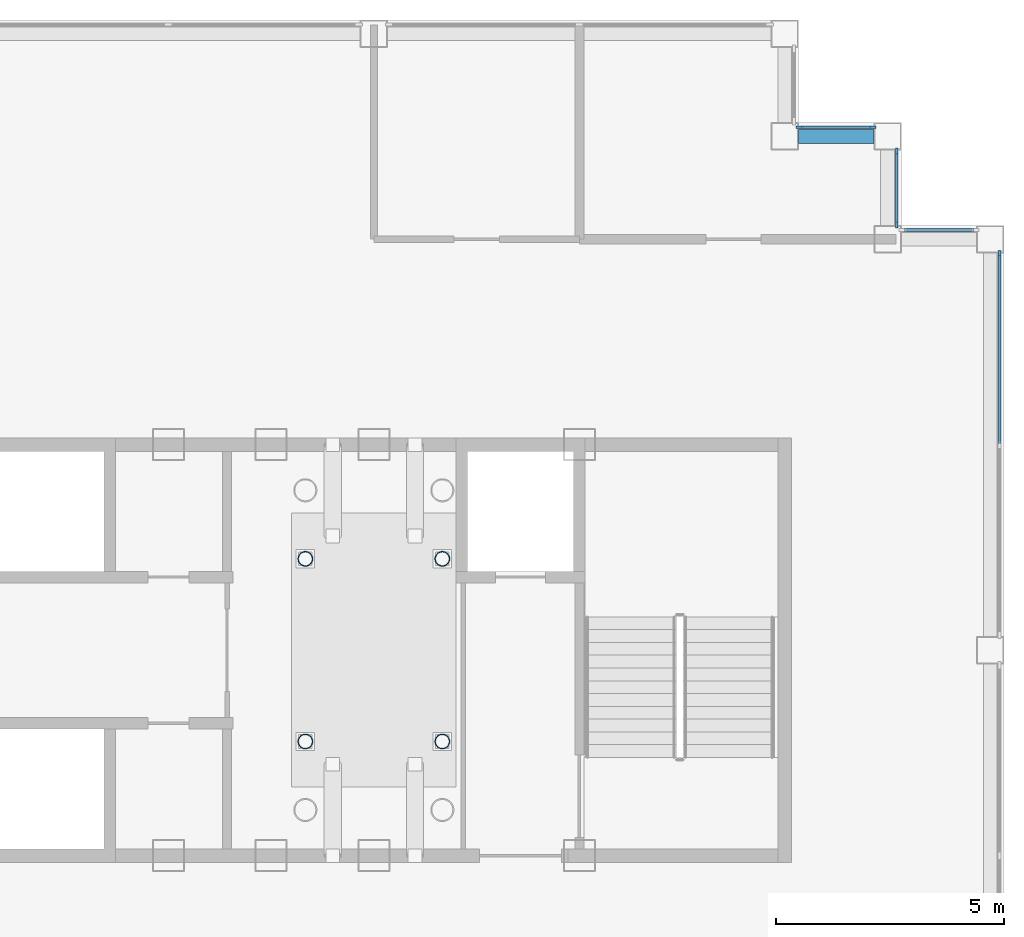
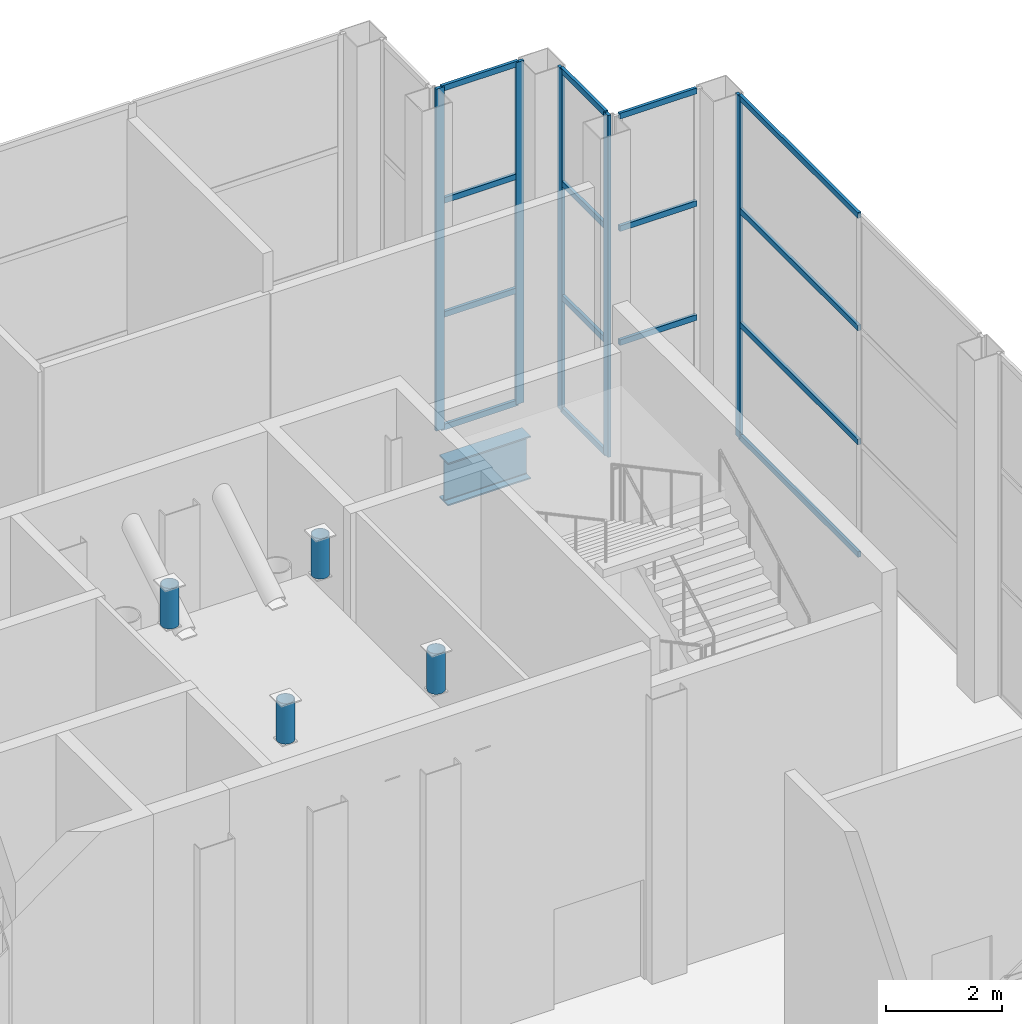
# One storey, part 6 of 15: 24 members, 1 beam, 4 elements without a shape of their own.
"""IFC4 building model written with IfcOpenShell, lengths in metres."""

import ifcopenshell
import ifcopenshell.guid

model = None  # the IFC model being written
_history = None  # IfcOwnerHistory: only IFC2X3 demands one
_inside = {}  # id of a spatial element -> (the spatial element, [elements in it])
_under = {}  # id of a project, library or spatial element -> (it, [spatial elements below it])
_declared = {}  # id of a project -> (the project, [libraries it declares])
_typed = {}  # id of a type object -> (the type object, [elements of that type])
_made_of = {}  # id of a material, layer set ... -> (it, [elements and type objects made of it])


def new_model(schema):
    """Start an empty IFC model of exactly this schema.

    Asked for "IFC4X3", IfcOpenShell would pick the latest addendum, in which some entities
    have other attributes; the version numbers below select the first issue.
    IFC2X3 requires an IfcOwnerHistory on every rooted entity: one is made here for all.
    """
    global model, _history
    if schema == "IFC4X3":
        model = ifcopenshell.file(schema_version=(4, 3, 0, 0))
    else:
        model = ifcopenshell.file(schema=schema)
    _inside.clear()
    _under.clear()
    _declared.clear()
    _typed.clear()
    _made_of.clear()
    _history = None
    if model.schema == "IFC2X3":
        org = make("IfcOrganization", Name="unknown")
        user = make(
            "IfcPersonAndOrganization",
            ThePerson=make("IfcPerson", FamilyName="unknown"),
            TheOrganization=org,
        )
        app = make(
            "IfcApplication",
            ApplicationDeveloper=org,
            Version="unknown",
            ApplicationFullName="unknown",
            ApplicationIdentifier="unknown",
        )
        _history = make(
            "IfcOwnerHistory",
            OwningUser=user,
            OwningApplication=app,
            ChangeAction="ADDED",
            CreationDate=0,
        )
    return model


def make(cls, **values):
    """One entity of the class cls with the attributes given. An attribute that is None is left unset."""
    return model.create_entity(
        cls, **{name: value for name, value in values.items() if value is not None}
    )


def rooted(cls, **values):
    """An entity with a GlobalId (a new one), such as an element, a storey or a relation."""
    return make(cls, GlobalId=ifcopenshell.guid.new(), OwnerHistory=_history, **values)


def si_unit(unit_type, name, prefix=None):
    """IfcSIUnit, for example si_unit("LENGTHUNIT", "METRE", prefix="MILLI")."""
    return make("IfcSIUnit", UnitType=unit_type, Prefix=prefix, Name=name)


def assignment(units):
    """IfcUnitAssignment: the units of a project."""
    return None if units is None else make("IfcUnitAssignment", Units=units)


def point(xyz):
    """IfcCartesianPoint."""
    return None if xyz is None else make("IfcCartesianPoint", Coordinates=xyz)


def direction(xyz):
    """IfcDirection."""
    return None if xyz is None else make("IfcDirection", DirectionRatios=xyz)


def frame(location, z_axis=None, x_axis=None):
    """IfcAxis2Placement3D, a coordinate frame: its origin and axes. An axis left out is left unset."""
    return make(
        "IfcAxis2Placement3D",
        Location=point(location),
        Axis=direction(z_axis),
        RefDirection=direction(x_axis),
    )


def frame_2d(location, x_axis=None):
    """IfcAxis2Placement2D, a coordinate frame in the plane: its origin and x axis."""
    return make(
        "IfcAxis2Placement2D", Location=point(location), RefDirection=direction(x_axis)
    )


def origin():
    """The frame at (0, 0, 0) with its axes left unset."""
    return frame((0.0, 0.0, 0.0))


def origin_2d():
    """The frame at (0, 0) in the plane with its x axis left unset."""
    return frame_2d((0.0, 0.0))


def place(relative_to, where):
    """IfcLocalPlacement: puts the frame where relative to a parent placement (None: the world)."""
    return make(
        "IfcLocalPlacement", PlacementRelTo=relative_to, RelativePlacement=where
    )


def context(
    kind, dimensions, precision=None, world=None, true_north=None, identifier=None
):
    """IfcGeometricRepresentationContext, for example the 3D "Model" context."""
    return make(
        "IfcGeometricRepresentationContext",
        ContextIdentifier=identifier,
        ContextType=kind,
        CoordinateSpaceDimension=dimensions,
        Precision=precision,
        WorldCoordinateSystem=world,
        TrueNorth=true_north,
    )


def subcontext(parent, identifier, kind, view, scale=None):
    """IfcGeometricRepresentationSubContext, for example "Body" below "Model"."""
    return make(
        "IfcGeometricRepresentationSubContext",
        ContextIdentifier=identifier,
        ContextType=kind,
        ParentContext=parent,
        TargetScale=scale,
        TargetView=view,
    )


def project(units=None, contexts=None):
    """IfcProject with its units and contexts."""
    return rooted(
        "IfcProject",
        Name="project",
        RepresentationContexts=contexts,
        UnitsInContext=assignment(units),
    )


def spatial(cls, under=None, at=None, **own):
    """A site, building, storey or space (cls), placed at a placement, below another one or the project."""
    s = rooted(cls, ObjectPlacement=at, **own)
    if under is not None:
        _under.setdefault(under.id(), (under, []))[1].append(s)
    return s


def profile(cls, at=None, kind="AREA", **sizes):
    """A parametric profile (cls). Its sizes go by their IFC names, for example OverallWidth=200.0."""
    return make(cls, ProfileType=kind, Position=at, **sizes)


def rectangle(**sizes):
    """IfcRectangleProfileDef."""
    return profile("IfcRectangleProfileDef", **sizes)


def hollow_circle(**sizes):
    """IfcCircleHollowProfileDef."""
    return profile("IfcCircleHollowProfileDef", **sizes)


def i_section(**sizes):
    """IfcIShapeProfileDef."""
    return profile("IfcIShapeProfileDef", **sizes)


def extrude(swept, where, along, depth):
    """IfcExtrudedAreaSolid: the profile swept, set in the frame where, extruded along a direction by depth."""
    return make(
        "IfcExtrudedAreaSolid",
        SweptArea=swept,
        Position=where,
        ExtrudedDirection=direction(along),
        Depth=depth,
    )


def shape(context_of_items, identifier, shape_type, items):
    """IfcShapeRepresentation: the items that make up one representation, for example the "Body"."""
    return make(
        "IfcShapeRepresentation",
        ContextOfItems=context_of_items,
        RepresentationIdentifier=identifier,
        RepresentationType=shape_type,
        Items=items,
    )


def material(Name=None, Category=None):
    """IfcMaterial."""
    return make("IfcMaterial", Name=Name, Category=Category)


def layer(
    of_material, thickness, ventilated=None, Name=None, Category=None, Priority=None
):
    """IfcMaterialLayer: one layer of a wall or slab, of a material (None: an air gap)."""
    return make(
        "IfcMaterialLayer",
        Material=of_material,
        LayerThickness=thickness,
        IsVentilated=ventilated,
        Name=Name,
        Category=Category,
        Priority=Priority,
    )


def layer_set(layers, Name=None):
    """IfcMaterialLayerSet."""
    return make("IfcMaterialLayerSet", MaterialLayers=layers, LayerSetName=Name)


def material_profile(
    of_material, cross_section, Name=None, Category=None, Priority=None
):
    """IfcMaterialProfile: a cross section and its material."""
    return make(
        "IfcMaterialProfile",
        Name=Name,
        Material=of_material,
        Profile=cross_section,
        Priority=Priority,
        Category=Category,
    )


def profile_set(profiles, Name=None, composite=None):
    """IfcMaterialProfileSet."""
    return make(
        "IfcMaterialProfileSet",
        Name=Name,
        MaterialProfiles=profiles,
        CompositeProfile=composite,
    )


def made_of(thing, what):
    """Note that an element or type object is made of a material, layer set ...; save() writes the relation."""
    if what is not None:
        _made_of.setdefault(what.id(), (what, []))[1].append(thing)
    return thing


def type_object(cls, material=None, **own):
    """A type object (cls), such as IfcWallType, which elements share."""
    return made_of(rooted(cls, **own), material)


def element(
    cls,
    number,
    at=None,
    inside=None,
    cuts=None,
    type_object=None,
    material=None,
    context=None,
    identifier="Body",
    shape_type=None,
    held_by="IfcProductDefinitionShape",
    body=None,
    shapes=None,
    **own,
):
    """One element of the class cls, such as IfcWall. Its Tag is "e" and its number.

    at: its placement. inside: the storey or other place that contains it. cuts: it is an
    opening in that element (IfcRelVoidsElement). A single representation is given by context,
    identifier, shape_type and body (its items); several are given by shapes. held_by: the class
    of the entity that holds the representations. save() writes the other relations.
    """
    e = rooted(cls, Tag="e%d" % number, ObjectPlacement=at, **own)
    if body is not None:
        shapes = [shape(context, identifier, shape_type, body)]
    if shapes is not None:
        e.Representation = make(held_by, Representations=shapes)
    if inside is not None:
        _inside.setdefault(inside.id(), (inside, []))[1].append(e)
    if cuts is not None:
        rooted(
            "IfcRelVoidsElement", RelatingBuildingElement=cuts, RelatedOpeningElement=e
        )
    if type_object is not None:
        _typed.setdefault(type_object.id(), (type_object, []))[1].append(e)
    return made_of(e, material)


def aggregate(whole, parts):
    """IfcRelAggregates: a whole, such as a stair, and the parts it consists of."""
    return rooted("IfcRelAggregates", RelatingObject=whole, RelatedObjects=parts)


def save(model, path):
    """Write the relations noted so far, then the file.

    IfcRelAggregates (storeys below a building ...), IfcRelContainedInSpatialStructure (elements
    in a storey), IfcRelDefinesByType, IfcRelAssociatesMaterial and IfcRelDeclares: one each for
    every whole, place, type object, material and project.
    """
    for whole, parts in _under.values():
        aggregate(whole, parts)
    for where, things in _inside.values():
        rooted(
            "IfcRelContainedInSpatialStructure",
            RelatedElements=things,
            RelatingStructure=where,
        )
    for kind, things in _typed.values():
        rooted("IfcRelDefinesByType", RelatedObjects=things, RelatingType=kind)
    for what, things in _made_of.values():
        rooted("IfcRelAssociatesMaterial", RelatedObjects=things, RelatingMaterial=what)
    for by, libraries in _declared.values():
        rooted("IfcRelDeclares", RelatingContext=by, RelatedDefinitions=libraries)
    model.write(path)


model = new_model("IFC4")

# Units and contexts
model_context = context("Model", 3, precision=1e-05, world=origin(), true_north=direction((0.0, 1.0)))
body_context = subcontext(model_context, "Body", "Model", "MODEL_VIEW")
ifc_project = project(units=[si_unit("LENGTHUNIT", "METRE"), si_unit("AREAUNIT", "SQUARE_METRE"), si_unit("VOLUMEUNIT", "CUBIC_METRE"), si_unit("PLANEANGLEUNIT", "RADIAN"), si_unit("MASSUNIT", "GRAM", prefix="KILO")], contexts=[model_context])

# Site, building, storey
site_placement = place(None, origin())
site = spatial("IfcSite", under=ifc_project, at=site_placement, CompositionType="ELEMENT")
building_placement = place(site_placement, origin())
building = spatial("IfcBuilding", under=site, at=building_placement, Name="Caravel Reach Hotel and Residences", CompositionType="ELEMENT")
storey_placement = place(building_placement, frame((0.0, 0.0, 305.60009765625)))
storey = spatial("IfcBuildingStorey", under=building, at=storey_placement, Name="L78", CompositionType="ELEMENT", Elevation=305.60009765625)

# Curtain wall, member
ifc_material_1 = material(Name="Dark low-e glazing in black aluminium frame", Category="aluminium")
ifc_layer = layer(ifc_material_1, 0.199951171875)
ifc_layer_set = layer_set([ifc_layer], Name="CW3 Damper floor glass wall")
curtain_wall_type = type_object("IfcCurtainWallType", Name="CW3 Damper floor glass wall", PredefinedType="NOTDEFINED", material=ifc_layer_set)
curtain_wall_1_placement = place(storey_placement, origin())
curtain_wall_1 = element("IfcCurtainWall", 1, at=curtain_wall_1_placement, inside=storey, type_object=curtain_wall_type, Name="Damper floor glass wall b1", PredefinedType="NOTDEFINED")
ifc_material_2 = material(Name="Anodised aluminium alloy 6063-T5, black", Category="aluminium")
ifc_material_profile_1 = material_profile(ifc_material_2, rectangle(XDim=0.06005859375, YDim=0.159912109375, at=origin_2d()), Name="CW mullion 60 x 160")
ifc_profile_set_1 = profile_set([ifc_material_profile_1], Name="Anodised aluminium alloy 6063-T5, black")
member_type_1 = type_object("IfcMemberType", Name="CW mullion 60 x 160", PredefinedType="MULLION", material=ifc_profile_set_1)
member_1_placement = place(storey_placement, frame((49.699951171875, 35.669921875, 0.0), z_axis=(0.0, 0.0, 1.0), x_axis=(-1.0, 0.0, 0.0)))
member_1 = element("IfcMember", 2, at=member_1_placement, type_object=member_type_1, Name="CW3 mullion 3", PredefinedType="MULLION", context=body_context, shape_type="SweptSolid", body=[
    extrude(rectangle(XDim=0.06005859375, YDim=0.159912109375, at=origin_2d()), origin(), (0.0, 0.0, 1.0), 7.199951171875),
])

# Curtain wall, members
curtain_wall_2_placement = place(storey_placement, origin())
curtain_wall_2 = element("IfcCurtainWall", 3, at=curtain_wall_2_placement, inside=storey, type_object=curtain_wall_type, Name="Damper floor glass wall b0", PredefinedType="NOTDEFINED")
member_2_placement = place(storey_placement, frame((47.449951171875, 36.330078125, 0.0), z_axis=(0.0, 0.0, 1.0), x_axis=(-1.0, 0.0, 0.0)))
member_2 = element("IfcMember", 4, at=member_2_placement, type_object=member_type_1, Name="CW3 mullion 1", PredefinedType="MULLION", context=body_context, shape_type="SweptSolid", body=[
    extrude(rectangle(XDim=0.06005859375, YDim=0.159912109375, at=origin_2d()), origin(), (0.0, 0.0, 1.0), 7.199951171875),
])
member_3_placement = place(storey_placement, frame((47.449951171875, 37.919921875, 0.0), z_axis=(0.0, 0.0, 1.0), x_axis=(-1.0, 0.0, 0.0)))
member_3 = element("IfcMember", 5, at=member_3_placement, type_object=member_type_1, Name="CW3 mullion 2", PredefinedType="MULLION", context=body_context, shape_type="SweptSolid", body=[
    extrude(rectangle(XDim=0.06005859375, YDim=0.159912109375, at=origin_2d()), origin(), (0.0, 0.0, 1.0), 7.199951171875),
])

curtain_wall_3_placement = place(storey_placement, origin())
curtain_wall_3 = element("IfcCurtainWall", 6, at=curtain_wall_3_placement, inside=storey, type_object=curtain_wall_type, Name="Damper floor glass wall b0", PredefinedType="NOTDEFINED")
member_4_placement = place(storey_placement, frame((46.919921875, 38.449951171875, 0.0), z_axis=(0.0, 0.0, 1.0), x_axis=(0.0, -1.0, 0.0)))
member_4 = element("IfcMember", 7, at=member_4_placement, type_object=member_type_1, Name="CW3 mullion 1", PredefinedType="MULLION", context=body_context, shape_type="SweptSolid", body=[
    extrude(rectangle(XDim=0.06005859375, YDim=0.159912109375, at=origin_2d()), origin(), (0.0, 0.0, 1.0), 7.199951171875),
])
member_5_placement = place(storey_placement, frame((45.330078125, 38.449951171875, 0.0), z_axis=(0.0, 0.0, 1.0), x_axis=(0.0, -1.0, 0.0)))
member_5 = element("IfcMember", 8, at=member_5_placement, type_object=member_type_1, Name="CW3 mullion 2", PredefinedType="MULLION", context=body_context, shape_type="SweptSolid", body=[
    extrude(rectangle(XDim=0.06005859375, YDim=0.159912109375, at=origin_2d()), origin(), (0.0, 0.0, 1.0), 7.199951171875),
])

# Member
ifc_material_3 = material(Name="Anodised aluminium alloy 6063-T5, black", Category="aluminium")
ifc_material_profile_2 = material_profile(ifc_material_3, rectangle(XDim=0.06005859375, YDim=0.1201171875, at=origin_2d()), Name="CW transom 60 x 120")
ifc_profile_set_2 = profile_set([ifc_material_profile_2], Name="Anodised aluminium alloy 6063-T5, black")
member_type_2 = type_object("IfcMemberType", Name="CW transom 60 x 120", PredefinedType="USERDEFINED", material=ifc_profile_set_2)
member_6_placement = place(storey_placement, frame((49.699951171875, 31.530029296875, 0.02978515625), z_axis=(0.0, 1.0, 0.0), x_axis=(-1.0, 0.0, 0.0)))
member_6 = element("IfcMember", 9, at=member_6_placement, type_object=member_type_2, Name="CW3 transom 2.1", ObjectType="TRANSOM", PredefinedType="USERDEFINED", context=body_context, shape_type="SweptSolid", body=[
    extrude(rectangle(XDim=0.06005859375, YDim=0.1201171875, at=origin_2d()), origin(), (0.0, 0.0, 1.0), 4.10986328125),
])

member_7_placement = place(storey_placement, frame((49.699951171875, 31.530029296875, 2.39990234375), z_axis=(0.0, 1.0, 0.0), x_axis=(-1.0, 0.0, 0.0)))
member_7 = element("IfcMember", 10, at=member_7_placement, type_object=member_type_2, Name="CW3 transom 2.2", ObjectType="TRANSOM", PredefinedType="USERDEFINED", context=body_context, shape_type="SweptSolid", body=[
    extrude(rectangle(XDim=0.06005859375, YDim=0.1201171875, at=origin_2d()), origin(), (0.0, 0.0, 1.0), 4.10986328125),
])

member_8_placement = place(storey_placement, frame((49.699951171875, 31.530029296875, 4.7998046875), z_axis=(0.0, 1.0, 0.0), x_axis=(-1.0, 0.0, 0.0)))
member_8 = element("IfcMember", 11, at=member_8_placement, type_object=member_type_2, Name="CW3 transom 2.3", ObjectType="TRANSOM", PredefinedType="USERDEFINED", context=body_context, shape_type="SweptSolid", body=[
    extrude(rectangle(XDim=0.06005859375, YDim=0.1201171875, at=origin_2d()), origin(), (0.0, 0.0, 1.0), 4.10986328125),
])

member_9_placement = place(storey_placement, frame((49.699951171875, 31.530029296875, 7.169921875), z_axis=(0.0, 1.0, 0.0), x_axis=(-1.0, 0.0, 0.0)))
member_9 = element("IfcMember", 12, at=member_9_placement, type_object=member_type_2, Name="CW3 transom 2.4", ObjectType="TRANSOM", PredefinedType="USERDEFINED", context=body_context, shape_type="SweptSolid", body=[
    extrude(rectangle(XDim=0.06005859375, YDim=0.1201171875, at=origin_2d()), origin(), (0.0, 0.0, 1.0), 4.10986328125),
])

aggregate(curtain_wall_1, [member_1, member_6, member_7, member_8, member_9])

# Curtain wall, members
curtain_wall_4_placement = place(storey_placement, origin())
curtain_wall_4 = element("IfcCurtainWall", 13, at=curtain_wall_4_placement, inside=storey, type_object=curtain_wall_type, Name="Damper floor glass wall b0", PredefinedType="NOTDEFINED")
member_10_placement = place(storey_placement, frame((49.139892578125, 36.199951171875, 2.39990234375), z_axis=(-1.0, 0.0, 0.0), x_axis=(0.0, -1.0, 0.0)))
member_10 = element("IfcMember", 14, at=member_10_placement, type_object=member_type_2, Name="CW3 transom 1.2", ObjectType="TRANSOM", PredefinedType="USERDEFINED", context=body_context, shape_type="SweptSolid", body=[
    extrude(rectangle(XDim=0.06005859375, YDim=0.1201171875, at=origin_2d()), origin(), (0.0, 0.0, 1.0), 1.52978515625),
])
member_11_placement = place(storey_placement, frame((49.139892578125, 36.199951171875, 4.7998046875), z_axis=(-1.0, 0.0, 0.0), x_axis=(0.0, -1.0, 0.0)))
member_11 = element("IfcMember", 15, at=member_11_placement, type_object=member_type_2, Name="CW3 transom 1.3", ObjectType="TRANSOM", PredefinedType="USERDEFINED", context=body_context, shape_type="SweptSolid", body=[
    extrude(rectangle(XDim=0.06005859375, YDim=0.1201171875, at=origin_2d()), origin(), (0.0, 0.0, 1.0), 1.52978515625),
])
member_12_placement = place(storey_placement, frame((49.139892578125, 36.199951171875, 7.169921875), z_axis=(-1.0, 0.0, 0.0), x_axis=(0.0, -1.0, 0.0)))
member_12 = element("IfcMember", 16, at=member_12_placement, type_object=member_type_2, Name="CW3 transom 1.4", ObjectType="TRANSOM", PredefinedType="USERDEFINED", context=body_context, shape_type="SweptSolid", body=[
    extrude(rectangle(XDim=0.06005859375, YDim=0.1201171875, at=origin_2d()), origin(), (0.0, 0.0, 1.0), 1.52978515625),
])
aggregate(curtain_wall_4, [member_10, member_11, member_12])

# Member
member_13_placement = place(storey_placement, frame((47.449951171875, 36.360107421875, 0.02978515625), z_axis=(0.0, 1.0, 0.0), x_axis=(-1.0, 0.0, 0.0)))
member_13 = element("IfcMember", 17, at=member_13_placement, type_object=member_type_2, Name="CW3 transom 1.1", ObjectType="TRANSOM", PredefinedType="USERDEFINED", context=body_context, shape_type="SweptSolid", body=[
    extrude(rectangle(XDim=0.06005859375, YDim=0.1201171875, at=origin_2d()), origin(), (0.0, 0.0, 1.0), 1.52978515625),
])

member_14_placement = place(storey_placement, frame((47.449951171875, 36.360107421875, 2.39990234375), z_axis=(0.0, 1.0, 0.0), x_axis=(-1.0, 0.0, 0.0)))
member_14 = element("IfcMember", 18, at=member_14_placement, type_object=member_type_2, Name="CW3 transom 1.2", ObjectType="TRANSOM", PredefinedType="USERDEFINED", context=body_context, shape_type="SweptSolid", body=[
    extrude(rectangle(XDim=0.06005859375, YDim=0.1201171875, at=origin_2d()), origin(), (0.0, 0.0, 1.0), 1.52978515625),
])

member_15_placement = place(storey_placement, frame((47.449951171875, 36.360107421875, 4.7998046875), z_axis=(0.0, 1.0, 0.0), x_axis=(-1.0, 0.0, 0.0)))
member_15 = element("IfcMember", 19, at=member_15_placement, type_object=member_type_2, Name="CW3 transom 1.3", ObjectType="TRANSOM", PredefinedType="USERDEFINED", context=body_context, shape_type="SweptSolid", body=[
    extrude(rectangle(XDim=0.06005859375, YDim=0.1201171875, at=origin_2d()), origin(), (0.0, 0.0, 1.0), 1.52978515625),
])

member_16_placement = place(storey_placement, frame((47.449951171875, 36.360107421875, 7.169921875), z_axis=(0.0, 1.0, 0.0), x_axis=(-1.0, 0.0, 0.0)))
member_16 = element("IfcMember", 20, at=member_16_placement, type_object=member_type_2, Name="CW3 transom 1.4", ObjectType="TRANSOM", PredefinedType="USERDEFINED", context=body_context, shape_type="SweptSolid", body=[
    extrude(rectangle(XDim=0.06005859375, YDim=0.1201171875, at=origin_2d()), origin(), (0.0, 0.0, 1.0), 1.52978515625),
])

aggregate(curtain_wall_2, [member_2, member_3, member_13, member_14, member_15, member_16])

member_17_placement = place(storey_placement, frame((46.889892578125, 38.449951171875, 0.02978515625), z_axis=(-1.0, 0.0, 0.0), x_axis=(0.0, -1.0, 0.0)))
member_17 = element("IfcMember", 21, at=member_17_placement, type_object=member_type_2, Name="CW3 transom 1.1", ObjectType="TRANSOM", PredefinedType="USERDEFINED", context=body_context, shape_type="SweptSolid", body=[
    extrude(rectangle(XDim=0.06005859375, YDim=0.1201171875, at=origin_2d()), origin(), (0.0, 0.0, 1.0), 1.52978515625),
])

member_18_placement = place(storey_placement, frame((46.889892578125, 38.449951171875, 2.39990234375), z_axis=(-1.0, 0.0, 0.0), x_axis=(0.0, -1.0, 0.0)))
member_18 = element("IfcMember", 22, at=member_18_placement, type_object=member_type_2, Name="CW3 transom 1.2", ObjectType="TRANSOM", PredefinedType="USERDEFINED", context=body_context, shape_type="SweptSolid", body=[
    extrude(rectangle(XDim=0.06005859375, YDim=0.1201171875, at=origin_2d()), origin(), (0.0, 0.0, 1.0), 1.52978515625),
])

member_19_placement = place(storey_placement, frame((46.889892578125, 38.449951171875, 4.7998046875), z_axis=(-1.0, 0.0, 0.0), x_axis=(0.0, -1.0, 0.0)))
member_19 = element("IfcMember", 23, at=member_19_placement, type_object=member_type_2, Name="CW3 transom 1.3", ObjectType="TRANSOM", PredefinedType="USERDEFINED", context=body_context, shape_type="SweptSolid", body=[
    extrude(rectangle(XDim=0.06005859375, YDim=0.1201171875, at=origin_2d()), origin(), (0.0, 0.0, 1.0), 1.52978515625),
])

member_20_placement = place(storey_placement, frame((46.889892578125, 38.449951171875, 7.169921875), z_axis=(-1.0, 0.0, 0.0), x_axis=(0.0, -1.0, 0.0)))
member_20 = element("IfcMember", 24, at=member_20_placement, type_object=member_type_2, Name="CW3 transom 1.4", ObjectType="TRANSOM", PredefinedType="USERDEFINED", context=body_context, shape_type="SweptSolid", body=[
    extrude(rectangle(XDim=0.06005859375, YDim=0.1201171875, at=origin_2d()), origin(), (0.0, 0.0, 1.0), 1.52978515625),
])

aggregate(curtain_wall_3, [member_4, member_5, member_17, member_18, member_19, member_20])

# Beam
ifc_material_4 = material(Name="Structural steel Q355B", Category="steel")
ifc_material_profile_3 = material_profile(ifc_material_4, i_section(OverallWidth=0.300048828125, OverallDepth=0.89990234375, WebThickness=0.01611328125, FlangeThickness=0.028076171875, FilletRadius=0.01806640625, at=origin_2d()), Name="HN 900x300x16x28")
ifc_profile_set_3 = profile_set([ifc_material_profile_3], Name="Structural steel Q355B")
beam_type = type_object("IfcBeamType", Name="Spandrel beam HN 900x300x16x28", PredefinedType="SPANDREL", material=ifc_profile_set_3)
beam_placement = place(storey_placement, frame((46.949951171875, 38.25, -0.9501953125), z_axis=(-1.0, 0.0, 0.0), x_axis=(0.0, -1.0, 0.0)))
element("IfcBeam", 25, at=beam_placement, inside=storey, type_object=beam_type, Name="SP3 HN 900x300x16x28", PredefinedType="SPANDREL", context=body_context, shape_type="SweptSolid", body=[
    extrude(i_section(OverallWidth=0.300048828125, OverallDepth=0.89990234375, WebThickness=0.01611328125, FlangeThickness=0.028076171875, FilletRadius=0.01806640625, at=origin_2d()), origin(), (0.0, 0.0, 1.0), 1.64990234375),
])

# Members
ifc_material_5 = material(Name="Structural steel Q390B", Category="steel")
ifc_material_profile_4 = material_profile(ifc_material_5, hollow_circle(Radius=0.16259765625, WallThickness=0.011962890625, at=origin_2d()), Name="CHS 325x12")
ifc_profile_set_4 = profile_set([ifc_material_profile_4], Name="Structural steel Q390B")
member_type_3 = type_object("IfcMemberType", Name="Strut CHS 325x12", PredefinedType="STRUT", material=ifc_profile_set_4)
for number, where, z_axis, x_axis, name in (
    (26, (34.5, 25.0, 6.27490234375), (0.0, 0.0, -1.0), (1.0, 0.0, 0.0), "Tuned mass damper TMD1 hanger"),
    (27, (34.5, 29.0, 6.27490234375), (0.0, 0.0, -1.0), (1.0, 0.0, 0.0), "Tuned mass damper TMD1 hanger"),
    (28, (37.5, 25.0, 6.27490234375), (0.0, 0.0, -1.0), (1.0, 0.0, 0.0), "Tuned mass damper TMD1 hanger"),
    (29, (37.5, 29.0, 6.27490234375), (0.0, 0.0, -1.0), (1.0, 0.0, 0.0), "Tuned mass damper TMD1 hanger"),
):
    element("IfcMember", number, at=place(storey_placement, frame(where, z_axis=z_axis, x_axis=x_axis)), inside=storey, type_object=member_type_3, Name=name, PredefinedType="STRUT", context=body_context, shape_type="SweptSolid", body=[
        extrude(hollow_circle(Radius=0.16259765625, WallThickness=0.011962890625, at=origin_2d()), origin(), (0.0, 0.0, 1.0), 0.85009765625),
    ])

save(model, "model.ifc")
